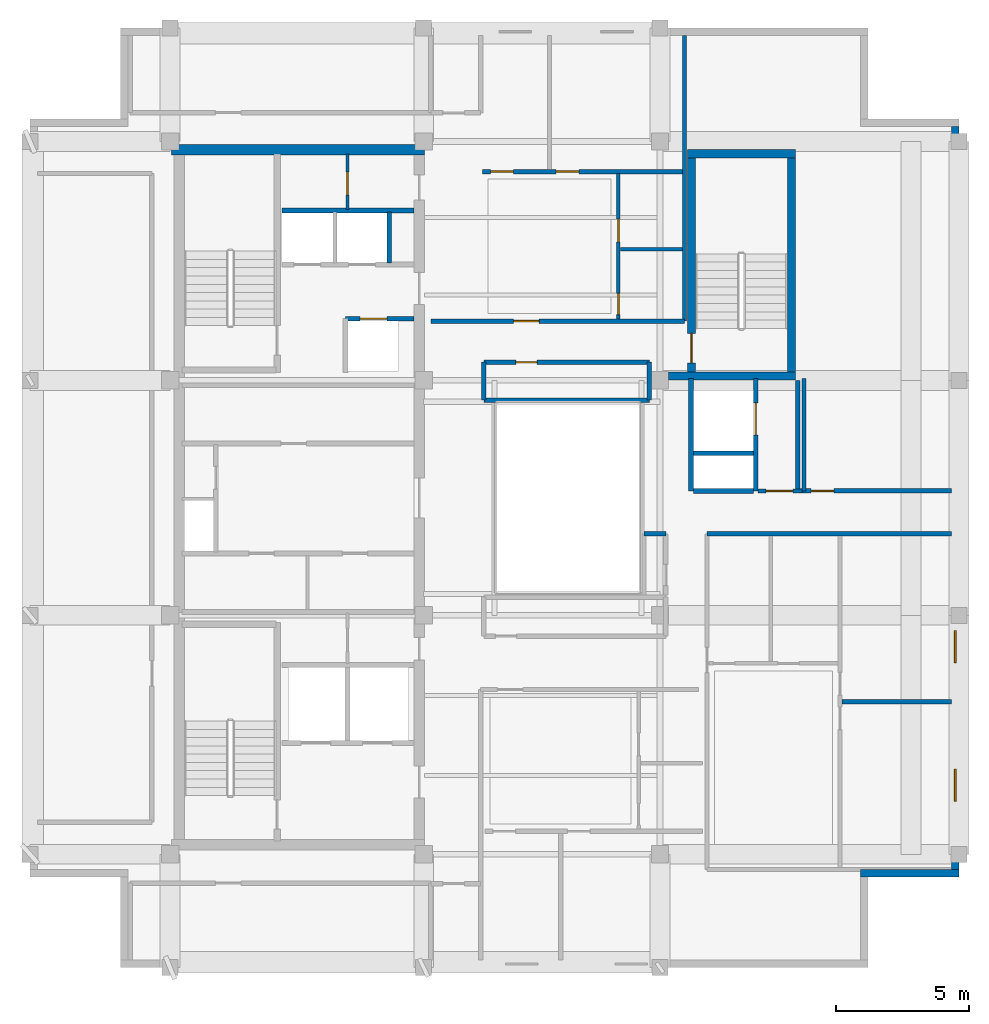
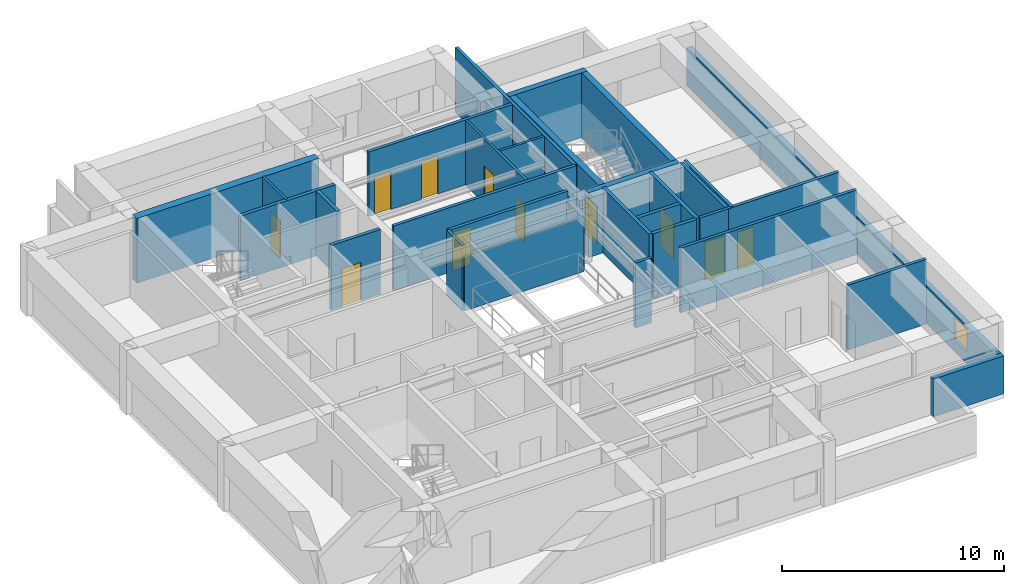
# One storey, part 4 of 6: 31 walls, 12 doors, 2 windows, 14 openings.
"""IFC4 building model written with IfcOpenShell, lengths in metres."""

from ifc_helpers import new_model, si_unit, direction, frame, frame_2d, origin, place, context, subcontext, project, spatial, rectangle, extrude, material, layer, layer_set, type_object, element, fill, save


model = new_model("IFC4")

# Units and contexts
model_context = context("Model", 3, precision=1e-05, world=origin(), true_north=direction((0.0, 1.0)))
body_context = subcontext(model_context, "Body", "Model", "MODEL_VIEW")
ifc_project = project(units=[si_unit("LENGTHUNIT", "METRE"), si_unit("AREAUNIT", "SQUARE_METRE"), si_unit("VOLUMEUNIT", "CUBIC_METRE"), si_unit("PLANEANGLEUNIT", "RADIAN"), si_unit("MASSUNIT", "GRAM", prefix="KILO")], contexts=[model_context])

# Site, building, storey
site_placement = place(None, origin())
site = spatial("IfcSite", under=ifc_project, at=site_placement, CompositionType="ELEMENT")
building_placement = place(site_placement, origin())
building = spatial("IfcBuilding", under=site, at=building_placement, Name="Kundavana Baori Tower", CompositionType="ELEMENT")
storey_placement = place(building_placement, frame((0.0, 0.0, 331.5)))
storey = spatial("IfcBuildingStorey", under=building, at=storey_placement, Name="L82", CompositionType="ELEMENT", Elevation=331.5)

# Walls
ifc_material_1 = material(Name="Concrete C50/60", Category="concrete")
ifc_layer_1 = layer(ifc_material_1, 0.39990234375, Name="WL-CORE-400")
ifc_layer_set_1 = layer_set([ifc_layer_1], Name="Concrete C50/60")
wall_type_1 = type_object("IfcWallType", Name="WL-CORE-400", PredefinedType="SHEAR", material=ifc_layer_set_1)
wall_1_placement = place(storey_placement, frame((15.5, 41.639892578125, 0.0), z_axis=(0.0, 0.0, 1.0), x_axis=(1.0, 0.0, 0.0)))
element("IfcWall", 1, at=wall_1_placement, inside=storey, type_object=wall_type_1, Name="L82 Offset Core North Shear Wall", PredefinedType="SHEAR", context=body_context, shape_type="SweptSolid", body=[
    extrude(rectangle(XDim=9.47998046875, YDim=0.39990234375, at=frame_2d((4.739990234375, 0.0))), origin(), (0.0, 0.0, 1.0), 3.56005859375),
])
ifc_material_2 = material(Name="Red-Buff Dholpur Sandstone Cladding on Concrete C40/50", Category="masonry")
ifc_layer_2 = layer(ifc_material_2, 0.280029296875, Name="WL-EXT-SAND-280")
ifc_layer_set_2 = layer_set([ifc_layer_2], Name="Red-Buff Dholpur Sandstone Cladding on Concrete C40/50")
wall_type_2 = type_object("IfcWallType", Name="WL-EXT-SAND-280", PredefinedType="STANDARD", material=ifc_layer_set_2)
wall_2_placement = place(storey_placement, frame((41.320068359375, 14.5400390625, 0.0), z_axis=(0.0, 0.0, 1.0), x_axis=(1.0, 0.0, 0.0)))
element("IfcWall", 2, at=wall_2_placement, inside=storey, type_object=wall_type_2, Name="L82 Exterior Insulated Facade Wall 03", PredefinedType="STANDARD", context=body_context, shape_type="SweptSolid", body=[
    extrude(rectangle(XDim=3.679931640625, YDim=0.280029296875, at=frame_2d((1.83984375, 0.0))), origin(), (0.0, 0.0, 1.0), 2.080078125),
])

# Wall, openings, windows
wall_3_placement = place(storey_placement, frame((44.860107421875, 14.679931640625, 0.0), z_axis=(0.0, 0.0, 1.0), x_axis=(0.0, 1.0, 0.0)))
wall_3 = element("IfcWall", 3, at=wall_3_placement, inside=storey, type_object=wall_type_2, Name="L82 Exterior Insulated Facade Wall 04", PredefinedType="STANDARD", context=body_context, shape_type="SweptSolid", body=[
    extrude(rectangle(XDim=27.840087890625, YDim=0.280029296875, at=frame_2d((13.919921875, 0.0))), origin(), (0.0, 0.0, 1.0), 2.080078125),
])
opening_1_placement = place(wall_3_placement, frame((2.56201171875, 0.0, 0.64990234375)))
opening_1 = element("IfcOpeningElement", 4, at=opening_1_placement, cuts=wall_3, Name="Opening W-12", PredefinedType="OPENING", context=body_context, shape_type="SweptSolid", body=[
    extrude(rectangle(XDim=1.199951171875, YDim=1.25, at=frame_2d((0.60009765625, 0.625))), frame((0.0, 0.14990234375, 0.0), z_axis=(0.0, -1.0, 0.0), x_axis=(1.0, 0.0, 0.0)), (0.0, 0.0, 1.0), 0.300048828125),
])
opening_2_placement = place(wall_3_placement, frame((7.74609375, 0.0, 0.64990234375)))
opening_2 = element("IfcOpeningElement", 5, at=opening_2_placement, cuts=wall_3, Name="Opening W-12", PredefinedType="OPENING", context=body_context, shape_type="SweptSolid", body=[
    extrude(rectangle(XDim=1.199951171875, YDim=1.25, at=frame_2d((0.60009765625, 0.625))), frame((0.0, 0.14990234375, 0.0), z_axis=(0.0, -1.0, 0.0), x_axis=(1.0, 0.0, 0.0)), (0.0, 0.0, 1.0), 0.300048828125),
])
ifc_material_3 = material(Name="Double-Glazed Solar-Control Low-E Insulated Glass", Category="glass")
window_type = type_object("IfcWindowType", Name="WIN-TRN-1200x1250", PartitioningType="SINGLE_PANEL", PredefinedType="WINDOW", material=ifc_material_3)
window_1_placement = place(opening_1_placement, origin())
window_1 = element("IfcWindow", 6, at=window_1_placement, inside=storey, type_object=window_type, Name="L82 Dwelling Outlook Window DW-5", OverallHeight=1.25, OverallWidth=1.199951171875, PartitioningType="SINGLE_PANEL", PredefinedType="WINDOW", context=body_context, shape_type="SweptSolid", body=[
    extrude(rectangle(XDim=1.199951171875, YDim=1.25, at=frame_2d((0.60009765625, 0.625))), frame((0.0, 0.030029296875, 0.0), z_axis=(0.0, -1.0, 0.0), x_axis=(1.0, 0.0, 0.0)), (0.0, 0.0, 1.0), 0.06005859375),
])
fill(opening_1, window_1)
window_2_placement = place(opening_2_placement, origin())
window_2 = element("IfcWindow", 7, at=window_2_placement, inside=storey, type_object=window_type, Name="L82 Dwelling Outlook Window DW-6", OverallHeight=1.25, OverallWidth=1.199951171875, PartitioningType="SINGLE_PANEL", PredefinedType="WINDOW", context=body_context, shape_type="SweptSolid", body=[
    extrude(rectangle(XDim=1.199951171875, YDim=1.25, at=frame_2d((0.60009765625, 0.625))), frame((0.0, 0.030029296875, 0.0), z_axis=(0.0, -1.0, 0.0), x_axis=(1.0, 0.0, 0.0)), (0.0, 0.0, 1.0), 0.06005859375),
])
fill(opening_2, window_2)

# Wall, opening, door
ifc_material_4 = material(Name="Acoustic Gypsum Plasterboard on Galvanised Steel Studs", Category="steel")
ifc_layer_3 = layer(ifc_material_4, 0.1201171875, Name="WL-PART-120")
ifc_layer_set_3 = layer_set([ifc_layer_3], Name="Acoustic Gypsum Plasterboard on Galvanised Steel Studs")
wall_type_3 = type_object("IfcWallType", Name="WL-PART-120", PredefinedType="PARTITIONING", material=ifc_layer_set_3)
wall_4_placement = place(storey_placement, frame((22.10009765625, 39.39990234375, 0.0), z_axis=(0.0, 0.0, 1.0), x_axis=(0.0, 1.0, 0.0)))
wall_4 = element("IfcWall", 8, at=wall_4_placement, inside=storey, type_object=wall_type_3, Name="WL-L82-CSRV-D1", PredefinedType="PARTITIONING", context=body_context, shape_type="SweptSolid", body=[
    extrude(rectangle(XDim=2.080078125, YDim=0.1201171875, at=frame_2d((1.0400390625, 0.0))), origin(), (0.0, 0.0, 1.0), 3.56005859375),
])
opening_3_placement = place(wall_4_placement, frame((0.550048828125, 0.0, 0.0)))
opening_3 = element("IfcOpeningElement", 9, at=opening_3_placement, cuts=wall_4, Name="Opening FD-085", PredefinedType="OPENING", context=body_context, shape_type="SweptSolid", body=[
    extrude(rectangle(XDim=0.85009765625, YDim=2.06005859375, at=frame_2d((0.425048828125, 1.030029296875))), frame((0.0, 0.070068359375, 0.0), z_axis=(0.0, -1.0, 0.0), x_axis=(1.0, 0.0, 0.0)), (0.0, 0.0, 1.0), 0.14013671875),
])
ifc_material_5 = material(Name="Galvanised Steel Fire-Rated Door Leaf", Category="steel")
door_type_1 = type_object("IfcDoorType", Name="DR-FD60-850", OperationType="NOTDEFINED", PredefinedType="DOOR", material=ifc_material_5)
door_1_placement = place(opening_3_placement, origin())
door_1 = element("IfcDoor", 10, at=door_1_placement, inside=storey, type_object=door_type_1, Name="DR-L82-CSRV1", OperationType="SINGLE_SWING_LEFT", OverallHeight=2.06005859375, OverallWidth=0.85009765625, PredefinedType="DOOR", context=body_context, shape_type="SweptSolid", body=[
    extrude(rectangle(XDim=0.85009765625, YDim=2.06005859375, at=frame_2d((0.425048828125, 1.030029296875))), frame((0.0, 0.02490234375, 0.0), z_axis=(0.0, -1.0, 0.0), x_axis=(1.0, 0.0, 0.0)), (0.0, 0.0, 1.0), 0.050048828125),
])
fill(opening_3, door_1)

# Wall
ifc_material_6 = material(Name="Fire-Rated Gypsum Drywall on Galvanised Steel Studs", Category="steel")
ifc_layer_4 = layer(ifc_material_6, 0.14990234375, Name="WL-PART-150")
ifc_layer_set_4 = layer_set([ifc_layer_4], Name="Fire-Rated Gypsum Drywall on Galvanised Steel Studs")
wall_type_4 = type_object("IfcWallType", Name="WL-PART-150", PredefinedType="PARTITIONING", material=ifc_layer_set_4)
wall_5_placement = place(storey_placement, frame((39.199951171875, 28.860107421875, 0.0), z_axis=(0.0, 0.0, 1.0), x_axis=(0.0, 1.0, 0.0)))
element("IfcWall", 11, at=wall_5_placement, inside=storey, type_object=wall_type_4, Name="WL-L82-SVLOB-E", PredefinedType="PARTITIONING", context=body_context, shape_type="SweptSolid", body=[
    extrude(rectangle(XDim=4.219970703125, YDim=0.14990234375, at=frame_2d((2.10986328125, 0.0))), origin(), (0.0, 0.0, 1.0), 3.56005859375),
])

# Wall, opening, door
wall_6_placement = place(storey_placement, frame((37.47998046875, 28.860107421875, 0.0), z_axis=(0.0, 0.0, 1.0), x_axis=(1.0, 0.0, 0.0)))
wall_6 = element("IfcWall", 12, at=wall_6_placement, inside=storey, type_object=wall_type_4, Name="WL-L82-SVLOB-S", PredefinedType="PARTITIONING", context=body_context, shape_type="SweptSolid", body=[
    extrude(rectangle(XDim=1.64013671875, YDim=0.14990234375, at=frame_2d((0.820068359375, 0.0))), origin(), (0.0, 0.0, 1.0), 3.56005859375),
])
opening_4_placement = place(wall_6_placement, frame((0.300048828125, 0.0, 0.0)))
opening_4 = element("IfcOpeningElement", 13, at=opening_4_placement, cuts=wall_6, Name="Opening FD-100", PredefinedType="OPENING", context=body_context, shape_type="SweptSolid", body=[
    extrude(rectangle(XDim=1.0, YDim=2.10009765625, at=frame_2d((0.5, 1.050048828125))), frame((0.0, 0.0849609375, 0.0), z_axis=(0.0, -1.0, 0.0), x_axis=(1.0, 0.0, 0.0)), (0.0, 0.0, 1.0), 0.169921875),
])
ifc_material_7 = material(Name="Engineered Teak Fire-Rated Timber Door Leaf", Category="wood")
door_type_2 = type_object("IfcDoorType", Name="DR-FD60-1000", OperationType="NOTDEFINED", PredefinedType="DOOR", material=ifc_material_7)
door_2_placement = place(opening_4_placement, origin())
door_2 = element("IfcDoor", 14, at=door_2_placement, inside=storey, type_object=door_type_2, Name="DR-L82-SVLOB-OUT", OperationType="SINGLE_SWING_LEFT", OverallHeight=2.10009765625, OverallWidth=1.0, PredefinedType="DOOR", context=body_context, shape_type="SweptSolid", body=[
    extrude(rectangle(XDim=1.0, YDim=2.10009765625, at=frame_2d((0.5, 1.050048828125))), frame((0.0, 0.02490234375, 0.0), z_axis=(0.0, -1.0, 0.0), x_axis=(1.0, 0.0, 0.0)), (0.0, 0.0, 1.0), 0.050048828125),
])
fill(opening_4, door_2)

ifc_material_8 = material(Name="Fire-Rated Gypsum Drywall on Galvanised Steel Studs", Category="steel")
ifc_layer_5 = layer(ifc_material_8, 0.1650390625, Name="WL-PART-165")
ifc_layer_set_5 = layer_set([ifc_layer_5], Name="Fire-Rated Gypsum Drywall on Galvanised Steel Studs")
wall_type_5 = type_object("IfcWallType", Name="WL-PART-165", PredefinedType="PARTITIONING", material=ifc_layer_set_5)
wall_7_placement = place(storey_placement, frame((25.219970703125, 35.219970703125, 0.0), z_axis=(0.0, 0.0, 1.0), x_axis=(1.0, 0.0, 0.0)))
wall_7 = element("IfcWall", 15, at=wall_7_placement, inside=storey, type_object=wall_type_5, Name="WL-L82-RN", PredefinedType="PARTITIONING", context=body_context, shape_type="SweptSolid", body=[
    extrude(rectangle(XDim=9.5, YDim=0.1650390625, at=frame_2d((4.75, 0.0))), origin(), (0.0, 0.0, 1.0), 3.56005859375),
])
opening_5_placement = place(wall_7_placement, frame((3.10009765625, 0.0, 0.0)))
opening_5 = element("IfcOpeningElement", 16, at=opening_5_placement, cuts=wall_7, Name="Opening FD-095", PredefinedType="OPENING", context=body_context, shape_type="SweptSolid", body=[
    extrude(rectangle(XDim=0.949951171875, YDim=2.10009765625, at=frame_2d((0.47509765625, 1.050048828125))), frame((0.0, 0.092529296875, 0.0), z_axis=(0.0, -1.0, 0.0), x_axis=(1.0, 0.0, 0.0)), (0.0, 0.0, 1.0), 0.18505859375),
])
ifc_material_9 = material(Name="Engineered Teak Fire-Rated Timber Door Leaf", Category="wood")
door_type_3 = type_object("IfcDoorType", Name="DR-FD60-950", OperationType="NOTDEFINED", PredefinedType="DOOR", material=ifc_material_9)
door_3_placement = place(opening_5_placement, origin())
door_3 = element("IfcDoor", 17, at=door_3_placement, inside=storey, type_object=door_type_3, Name="DR-L82-N1-ENT", OperationType="SINGLE_SWING_LEFT", OverallHeight=2.10009765625, OverallWidth=0.949951171875, PredefinedType="DOOR", context=body_context, shape_type="SweptSolid", body=[
    extrude(rectangle(XDim=0.949951171875, YDim=2.10009765625, at=frame_2d((0.47509765625, 1.050048828125))), frame((0.0, 0.02490234375, 0.0), z_axis=(0.0, -1.0, 0.0), x_axis=(1.0, 0.0, 0.0)), (0.0, 0.0, 1.0), 0.050048828125),
])
fill(opening_5, door_3)

# Wall
wall_8_placement = place(storey_placement, frame((34.719970703125, 35.219970703125, 0.0), z_axis=(0.0, 0.0, 1.0), x_axis=(0.0, 1.0, 0.0)))
element("IfcWall", 18, at=wall_8_placement, inside=storey, type_object=wall_type_5, Name="WL-L82-RNEND", PredefinedType="PARTITIONING", context=body_context, shape_type="SweptSolid", body=[
    extrude(rectangle(XDim=10.699951171875, YDim=0.1650390625, at=frame_2d((5.35009765625, 0.0))), origin(), (0.0, 0.0, 1.0), 3.56005859375),
])

# Wall, openings, doors
wall_9_placement = place(storey_placement, frame((27.159912109375, 40.822021484375, 0.0), z_axis=(0.0, 0.0, 1.0), x_axis=(1.0, 0.0, 0.0)))
wall_9 = element("IfcWall", 19, at=wall_9_placement, inside=storey, type_object=wall_type_5, Name="WL-L82-N1-HZ", PredefinedType="PARTITIONING", context=body_context, shape_type="SweptSolid", body=[
    extrude(rectangle(XDim=7.47998046875, YDim=0.1650390625, at=frame_2d((3.739990234375, 0.0))), origin(), (0.0, 0.0, 1.0), 3.56005859375),
])
opening_6_placement = place(wall_9_placement, frame((0.300048828125, 0.0, 0.0)))
opening_6 = element("IfcOpeningElement", 20, at=opening_6_placement, cuts=wall_9, Name="Opening ID-085", PredefinedType="OPENING", context=body_context, shape_type="SweptSolid", body=[
    extrude(rectangle(XDim=0.85009765625, YDim=2.080078125, at=frame_2d((0.425048828125, 1.0400390625))), frame((0.0, 0.092529296875, 0.0), z_axis=(0.0, -1.0, 0.0), x_axis=(1.0, 0.0, 0.0)), (0.0, 0.0, 1.0), 0.18505859375),
])
opening_7_placement = place(wall_9_placement, frame((2.75, 0.0, 0.0)))
opening_7 = element("IfcOpeningElement", 21, at=opening_7_placement, cuts=wall_9, Name="Opening ID-085", PredefinedType="OPENING", context=body_context, shape_type="SweptSolid", body=[
    extrude(rectangle(XDim=0.85009765625, YDim=2.080078125, at=frame_2d((0.425048828125, 1.0400390625))), frame((0.0, 0.092529296875, 0.0), z_axis=(0.0, -1.0, 0.0), x_axis=(1.0, 0.0, 0.0)), (0.0, 0.0, 1.0), 0.18505859375),
])
ifc_material_10 = material(Name="Engineered Teak Solid-Core Timber Veneer", Category="wood")
door_type_4 = type_object("IfcDoorType", Name="DR-INT-850", OperationType="NOTDEFINED", PredefinedType="DOOR", material=ifc_material_10)
door_4_placement = place(opening_6_placement, origin())
door_4 = element("IfcDoor", 22, at=door_4_placement, inside=storey, type_object=door_type_4, Name="DR-L82-N1-B1", OperationType="SINGLE_SWING_LEFT", OverallHeight=2.080078125, OverallWidth=0.85009765625, PredefinedType="DOOR", context=body_context, shape_type="SweptSolid", body=[
    extrude(rectangle(XDim=0.85009765625, YDim=2.080078125, at=frame_2d((0.425048828125, 1.0400390625))), frame((0.0, 0.02490234375, 0.0), z_axis=(0.0, -1.0, 0.0), x_axis=(1.0, 0.0, 0.0)), (0.0, 0.0, 1.0), 0.050048828125),
])
fill(opening_6, door_4)
door_5_placement = place(opening_7_placement, origin())
door_5 = element("IfcDoor", 23, at=door_5_placement, inside=storey, type_object=door_type_4, Name="DR-L82-N1-B2", OperationType="SINGLE_SWING_RIGHT", OverallHeight=2.080078125, OverallWidth=0.85009765625, PredefinedType="DOOR", context=body_context, shape_type="SweptSolid", body=[
    extrude(rectangle(XDim=0.85009765625, YDim=2.080078125, at=frame_2d((0.425048828125, 1.0400390625))), frame((0.0, 0.02490234375, 0.0), z_axis=(0.0, -1.0, 0.0), x_axis=(1.0, 0.0, 0.0)), (0.0, 0.0, 1.0), 0.050048828125),
])
fill(opening_7, door_5)

# Walls
wall_10_placement = place(storey_placement, frame((35.56005859375, 27.25, 0.0), z_axis=(0.0, 0.0, 1.0), x_axis=(1.0, 0.0, 0.0)))
element("IfcWall", 24, at=wall_10_placement, inside=storey, type_object=wall_type_5, Name="WL-L82-CSEN", PredefinedType="PARTITIONING", context=body_context, shape_type="SweptSolid", body=[
    extrude(rectangle(XDim=9.159912109375, YDim=0.1650390625, at=frame_2d((4.580078125, 0.0))), origin(), (0.0, 0.0, 1.0), 3.56005859375),
])
wall_11_placement = place(storey_placement, frame((40.623046875, 20.965087890625, 0.0), z_axis=(0.0, 0.0, 1.0), x_axis=(1.0, 0.0, 0.0)))
element("IfcWall", 25, at=wall_11_placement, inside=storey, type_object=wall_type_5, Name="WL-L82-SE1-BDH", PredefinedType="PARTITIONING", context=body_context, shape_type="SweptSolid", body=[
    extrude(rectangle(XDim=4.096923828125, YDim=0.1650390625, at=frame_2d((2.04833984375, 0.0))), origin(), (0.0, 0.0, 1.0), 3.56005859375),
])

# Wall, opening, door
wall_12_placement = place(storey_placement, frame((38.9599609375, 28.860107421875, 0.0), z_axis=(0.0, 0.0, 1.0), x_axis=(1.0, 0.0, 0.0)))
wall_12 = element("IfcWall", 26, at=wall_12_placement, inside=storey, type_object=wall_type_5, Name="WL-L82-CNES", PredefinedType="PARTITIONING", context=body_context, shape_type="SweptSolid", body=[
    extrude(rectangle(XDim=5.760009765625, YDim=0.1650390625, at=frame_2d((2.8798828125, 0.0))), origin(), (0.0, 0.0, 1.0), 3.56005859375),
])
opening_8_placement = place(wall_12_placement, frame((0.5, 0.0, 0.0)))
opening_8 = element("IfcOpeningElement", 27, at=opening_8_placement, cuts=wall_12, Name="Opening WD-085", PredefinedType="OPENING", context=body_context, shape_type="SweptSolid", body=[
    extrude(rectangle(XDim=0.85009765625, YDim=2.050048828125, at=frame_2d((0.425048828125, 1.02490234375))), frame((0.0, 0.092529296875, 0.0), z_axis=(0.0, -1.0, 0.0), x_axis=(1.0, 0.0, 0.0)), (0.0, 0.0, 1.0), 0.18505859375),
])
ifc_material_11 = material(Name="Engineered Teak Solid-Core Timber Veneer", Category="wood")
door_type_5 = type_object("IfcDoorType", Name="DR-WET-850", OperationType="NOTDEFINED", PredefinedType="DOOR", material=ifc_material_11)
door_6_placement = place(opening_8_placement, origin())
door_6 = element("IfcDoor", 28, at=door_6_placement, inside=storey, type_object=door_type_5, Name="DR-L82-RCNE", OperationType="SINGLE_SWING_LEFT", OverallHeight=2.050048828125, OverallWidth=0.85009765625, PredefinedType="DOOR", context=body_context, shape_type="SweptSolid", body=[
    extrude(rectangle(XDim=0.85009765625, YDim=2.050048828125, at=frame_2d((0.425048828125, 1.02490234375))), frame((0.0, 0.02490234375, 0.0), z_axis=(0.0, -1.0, 0.0), x_axis=(1.0, 0.0, 0.0)), (0.0, 0.0, 1.0), 0.050048828125),
])
fill(opening_8, door_6)

# Walls
wall_13_placement = place(storey_placement, frame((38.9599609375, 28.93994140625, 0.0), z_axis=(0.0, 0.0, 1.0), x_axis=(0.0, 1.0, 0.0)))
element("IfcWall", 29, at=wall_13_placement, inside=storey, type_object=wall_type_5, Name="WL-L82-CNEW", PredefinedType="PARTITIONING", context=body_context, shape_type="SweptSolid", body=[
    extrude(rectangle(XDim=4.06005859375, YDim=0.1650390625, at=frame_2d((2.030029296875, 0.0))), origin(), (0.0, 0.0, 1.0), 3.56005859375),
])
wall_14_placement = place(storey_placement, frame((33.199951171875, 27.25, 0.0), z_axis=(0.0, 0.0, 1.0), x_axis=(1.0, 0.0, 0.0)))
element("IfcWall", 30, at=wall_14_placement, inside=storey, type_object=wall_type_5, Name="WL-L82-CEAN", PredefinedType="PARTITIONING", context=body_context, shape_type="SweptSolid", body=[
    extrude(rectangle(XDim=0.820068359375, YDim=0.1650390625, at=frame_2d((0.41015625, 0.0))), origin(), (0.0, 0.0, 1.0), 3.56005859375),
])

# Wall, opening, door
wall_15_placement = place(storey_placement, frame((27.199951171875, 33.679931640625, 0.0), z_axis=(0.0, 0.0, 1.0), x_axis=(1.0, 0.0, 0.0)))
wall_15 = element("IfcWall", 31, at=wall_15_placement, inside=storey, type_object=wall_type_5, Name="WL-L82-CNAN", PredefinedType="PARTITIONING", context=body_context, shape_type="SweptSolid", body=[
    extrude(rectangle(XDim=6.199951171875, YDim=0.1650390625, at=frame_2d((3.10009765625, 0.0))), origin(), (0.0, 0.0, 1.0), 3.56005859375),
])
opening_9_placement = place(wall_15_placement, frame((1.199951171875, 0.0, 0.0)))
opening_9 = element("IfcOpeningElement", 32, at=opening_9_placement, cuts=wall_15, Name="Opening WD-080", PredefinedType="OPENING", context=body_context, shape_type="SweptSolid", body=[
    extrude(rectangle(XDim=0.800048828125, YDim=2.050048828125, at=frame_2d((0.39990234375, 1.02490234375))), frame((0.0, 0.092529296875, 0.0), z_axis=(0.0, -1.0, 0.0), x_axis=(1.0, 0.0, 0.0)), (0.0, 0.0, 1.0), 0.18505859375),
])
ifc_material_12 = material(Name="Engineered Teak Solid-Core Timber Veneer", Category="wood")
door_type_6 = type_object("IfcDoorType", Name="DR-WET-800", OperationType="NOTDEFINED", PredefinedType="DOOR", material=ifc_material_12)
door_7_placement = place(opening_9_placement, frame((0.800048828125, 0.0, 0.0), z_axis=(0.0, 0.0, 1.0), x_axis=(-1.0, 0.0, 0.0)))
door_7 = element("IfcDoor", 33, at=door_7_placement, inside=storey, type_object=door_type_6, Name="DR-L82-CSNA", OperationType="SINGLE_SWING_LEFT", OverallHeight=2.050048828125, OverallWidth=0.800048828125, PredefinedType="DOOR", context=body_context, shape_type="SweptSolid", body=[
    extrude(rectangle(XDim=0.800048828125, YDim=2.050048828125, at=frame_2d((0.39990234375, 1.02490234375))), frame((0.0, 0.02490234375, 0.0), z_axis=(0.0, -1.0, 0.0), x_axis=(1.0, 0.0, 0.0)), (0.0, 0.0, 1.0), 0.050048828125),
])
fill(opening_9, door_7)

# Walls
wall_16_placement = place(storey_placement, frame((27.199951171875, 32.260009765625, 0.0), z_axis=(0.0, 0.0, 1.0), x_axis=(1.0, 0.0, 0.0)))
element("IfcWall", 34, at=wall_16_placement, inside=storey, type_object=wall_type_5, Name="WL-L82-CNAS", PredefinedType="PARTITIONING", context=body_context, shape_type="SweptSolid", body=[
    extrude(rectangle(XDim=6.199951171875, YDim=0.1650390625, at=frame_2d((3.10009765625, 0.0))), origin(), (0.0, 0.0, 1.0), 3.010009765625),
])
wall_17_placement = place(storey_placement, frame((27.199951171875, 32.260009765625, 0.0), z_axis=(0.0, 0.0, 1.0), x_axis=(0.0, 1.0, 0.0)))
element("IfcWall", 35, at=wall_17_placement, inside=storey, type_object=wall_type_5, Name="WL-L82-CNAW", PredefinedType="PARTITIONING", context=body_context, shape_type="SweptSolid", body=[
    extrude(rectangle(XDim=1.419921875, YDim=0.1650390625, at=frame_2d((0.7099609375, 0.0))), origin(), (0.0, 0.0, 1.0), 3.56005859375),
])
wall_18_placement = place(storey_placement, frame((33.39990234375, 32.260009765625, 0.0), z_axis=(0.0, 0.0, 1.0), x_axis=(0.0, 1.0, 0.0)))
element("IfcWall", 36, at=wall_18_placement, inside=storey, type_object=wall_type_5, Name="WL-L82-CNAE", PredefinedType="PARTITIONING", context=body_context, shape_type="SweptSolid", body=[
    extrude(rectangle(XDim=1.419921875, YDim=0.1650390625, at=frame_2d((0.7099609375, 0.0))), origin(), (0.0, 0.0, 1.0), 3.010009765625),
])

# Wall, opening, door
ifc_material_13 = material(Name="Autoclaved Aerated Concrete Blockwork Masonry", Category="masonry")
ifc_layer_6 = layer(ifc_material_13, 0.179931640625, Name="WL-SHAFT-180")
ifc_layer_set_6 = layer_set([ifc_layer_6], Name="Autoclaved Aerated Concrete Blockwork Masonry")
wall_type_6 = type_object("IfcWallType", Name="WL-SHAFT-180", PredefinedType="SOLIDWALL", material=ifc_layer_set_6)
wall_19_placement = place(storey_placement, frame((22.02001953125, 35.31005859375, 0.0), z_axis=(0.0, 0.0, 1.0), x_axis=(1.0, 0.0, 0.0)))
wall_19 = element("IfcWall", 37, at=wall_19_placement, inside=storey, type_object=wall_type_6, Name="WL-L82-LP11-N", PredefinedType="SOLIDWALL", context=body_context, shape_type="SweptSolid", body=[
    extrude(rectangle(XDim=2.56005859375, YDim=0.179931640625, at=frame_2d((1.280029296875, 0.0))), origin(), (0.0, 0.0, 1.0), 3.56005859375),
])
opening_10_placement = place(wall_19_placement, frame((0.550048828125, 0.0, 0.0)))
opening_10 = element("IfcOpeningElement", 38, at=opening_10_placement, cuts=wall_19, Name="Opening LD-100", PredefinedType="OPENING", context=body_context, shape_type="SweptSolid", body=[
    extrude(rectangle(XDim=1.0, YDim=2.10009765625, at=frame_2d((0.5, 1.050048828125))), frame((0.0, 0.10009765625, 0.0), z_axis=(0.0, -1.0, 0.0), x_axis=(1.0, 0.0, 0.0)), (0.0, 0.0, 1.0), 0.199951171875),
])
ifc_material_14 = material(Name="Galvanised Steel Fire-Rated Door Leaf", Category="steel")
door_type_7 = type_object("IfcDoorType", Name="DR-SLIDE-LD1000", OperationType="NOTDEFINED", PredefinedType="DOOR", material=ifc_material_14)
door_8_placement = place(opening_10_placement, origin())
door_8 = element("IfcDoor", 39, at=door_8_placement, inside=storey, type_object=door_type_7, Name="DR-L82-LD-LP11", OperationType="DOUBLE_DOOR_SLIDING", OverallHeight=2.10009765625, OverallWidth=1.0, PredefinedType="DOOR", context=body_context, shape_type="SweptSolid", body=[
    extrude(rectangle(XDim=1.0, YDim=2.10009765625, at=frame_2d((0.5, 1.050048828125))), frame((0.0, 0.02490234375, 0.0), z_axis=(0.0, -1.0, 0.0), x_axis=(1.0, 0.0, 0.0)), (0.0, 0.0, 1.0), 0.050048828125),
])
fill(opening_10, door_8)

# Walls
wall_20_placement = place(storey_placement, frame((19.639892578125, 39.360107421875, 0.0), z_axis=(0.0, 0.0, 1.0), x_axis=(1.0, 0.0, 0.0)))
element("IfcWall", 40, at=wall_20_placement, inside=storey, type_object=wall_type_6, Name="WL-L82-HRLOB-TOP", PredefinedType="SOLIDWALL", context=body_context, shape_type="SweptSolid", body=[
    extrude(rectangle(XDim=4.940185546875, YDim=0.179931640625, at=frame_2d((2.47021484375, 0.0))), origin(), (0.0, 0.0, 1.0), 3.56005859375),
])
wall_21_placement = place(storey_placement, frame((23.659912109375, 37.39990234375, 0.0), z_axis=(0.0, 0.0, 1.0), x_axis=(0.0, 1.0, 0.0)))
element("IfcWall", 41, at=wall_21_placement, inside=storey, type_object=wall_type_6, Name="WL-L82-HR-DIV2", PredefinedType="SOLIDWALL", context=body_context, shape_type="SweptSolid", body=[
    extrude(rectangle(XDim=1.900146484375, YDim=0.179931640625, at=frame_2d((0.9501953125, 0.0))), origin(), (0.0, 0.0, 1.0), 3.56005859375),
])
wall_22_placement = place(storey_placement, frame((34.9599609375, 28.860107421875, 0.0), z_axis=(0.0, 0.0, 1.0), x_axis=(0.0, 1.0, 0.0)))
element("IfcWall", 42, at=wall_22_placement, inside=storey, type_object=wall_type_6, Name="WL-L82-SVL-W", PredefinedType="SOLIDWALL", context=body_context, shape_type="SweptSolid", body=[
    extrude(rectangle(XDim=4.219970703125, YDim=0.179931640625, at=frame_2d((2.10986328125, 0.0))), origin(), (0.0, 0.0, 1.0), 3.56005859375),
])

# Wall, opening, door
wall_23_placement = place(storey_placement, frame((37.389892578125, 28.860107421875, 0.0), z_axis=(0.0, 0.0, 1.0), x_axis=(0.0, 1.0, 0.0)))
wall_23 = element("IfcWall", 43, at=wall_23_placement, inside=storey, type_object=wall_type_6, Name="WL-L82-SVL-E", PredefinedType="SOLIDWALL", context=body_context, shape_type="SweptSolid", body=[
    extrude(rectangle(XDim=4.219970703125, YDim=0.179931640625, at=frame_2d((2.10986328125, 0.0))), origin(), (0.0, 0.0, 1.0), 3.56005859375),
])
opening_11_placement = place(wall_23_placement, frame((2.10009765625, 0.0, 0.0)))
opening_11 = element("IfcOpeningElement", 44, at=opening_11_placement, cuts=wall_23, Name="Opening LD-120", PredefinedType="OPENING", context=body_context, shape_type="SweptSolid", body=[
    extrude(rectangle(XDim=1.199951171875, YDim=2.1201171875, at=frame_2d((0.60009765625, 1.06005859375))), frame((0.0, 0.10009765625, 0.0), z_axis=(0.0, -1.0, 0.0), x_axis=(1.0, 0.0, 0.0)), (0.0, 0.0, 1.0), 0.199951171875),
])
ifc_material_15 = material(Name="Galvanised Steel Fire-Rated Door Leaf", Category="steel")
door_type_8 = type_object("IfcDoorType", Name="DR-SLIDE-LD1200", OperationType="NOTDEFINED", PredefinedType="DOOR", material=ifc_material_15)
door_9_placement = place(opening_11_placement, frame((1.199951171875, 0.0, 0.0), z_axis=(0.0, 0.0, 1.0), x_axis=(-1.0, 0.0, 0.0)))
door_9 = element("IfcDoor", 45, at=door_9_placement, inside=storey, type_object=door_type_8, Name="DR-L82-LD-SVL1", OperationType="DOUBLE_DOOR_SLIDING", OverallHeight=2.1201171875, OverallWidth=1.199951171875, PredefinedType="DOOR", context=body_context, shape_type="SweptSolid", body=[
    extrude(rectangle(XDim=1.199951171875, YDim=2.1201171875, at=frame_2d((0.60009765625, 1.06005859375))), frame((0.0, 0.02490234375, 0.0), z_axis=(0.0, -1.0, 0.0), x_axis=(1.0, 0.0, 0.0)), (0.0, 0.0, 1.0), 0.050048828125),
])
fill(opening_11, door_9)

# Walls
for number, where, z_axis, x_axis, name in (
    (46, (35.050048828125, 28.860107421875, 0.0), (0.0, 0.0, 1.0), (1.0, 0.0, 0.0), "WL-L82-SVL-S"),
    (47, (35.050048828125, 30.27001953125, 0.0), (0.0, 0.0, 1.0), (1.0, 0.0, 0.0), "WL-L82-SVL-M"),
):
    element("IfcWall", number, at=place(storey_placement, frame(where, z_axis=z_axis, x_axis=x_axis)), inside=storey, type_object=wall_type_6, Name=name, PredefinedType="SOLIDWALL", context=body_context, shape_type="SweptSolid", body=[
        extrude(rectangle(XDim=2.25, YDim=0.179931640625, at=frame_2d((1.125, 0.0))), origin(), (0.0, 0.0, 1.0), 3.56005859375),
    ])
ifc_material_16 = material(Name="Concrete C50/60", Category="concrete")
ifc_layer_7 = layer(ifc_material_16, 0.300048828125, Name="WL-ST3-300")
ifc_layer_set_7 = layer_set([ifc_layer_7], Name="Concrete C50/60")
wall_type_7 = type_object("IfcWallType", Name="WL-ST3-300", PredefinedType="SHEAR", material=ifc_layer_set_7)
wall_24_placement = place(storey_placement, frame((34.125, 33.159912109375, 0.0), z_axis=(0.0, 0.0, 1.0), x_axis=(1.0, 0.0, 0.0)))
element("IfcWall", 48, at=wall_24_placement, inside=storey, type_object=wall_type_7, Name="L82 Stair ST3 South Shear Wall", PredefinedType="SHEAR", context=body_context, shape_type="SweptSolid", body=[
    extrude(rectangle(XDim=4.7451171875, YDim=0.300048828125, at=frame_2d((2.37255859375, 0.0))), origin(), (0.0, 0.0, 1.0), 3.56005859375),
])
wall_25_placement = place(storey_placement, frame((34.830078125, 41.489990234375, 0.0), z_axis=(0.0, 0.0, 1.0), x_axis=(1.0, 0.0, 0.0)))
element("IfcWall", 49, at=wall_25_placement, inside=storey, type_object=wall_type_7, Name="L82 Stair ST3 North Shear Wall", PredefinedType="SHEAR", context=body_context, shape_type="SweptSolid", body=[
    extrude(rectangle(XDim=4.0400390625, YDim=0.300048828125, at=frame_2d((2.02001953125, 0.0))), origin(), (0.0, 0.0, 1.0), 3.56005859375),
])

# Wall, opening, door
wall_26_placement = place(storey_placement, frame((34.97998046875, 33.31005859375, 0.0), z_axis=(0.0, 0.0, 1.0), x_axis=(0.0, 1.0, 0.0)))
wall_26 = element("IfcWall", 50, at=wall_26_placement, inside=storey, type_object=wall_type_7, Name="L82 Stair ST3 West Shear Wall", PredefinedType="SHEAR", context=body_context, shape_type="SweptSolid", body=[
    extrude(rectangle(XDim=8.030029296875, YDim=0.300048828125, at=frame_2d((4.01513671875, 0.0))), origin(), (0.0, 0.0, 1.0), 3.56005859375),
])
opening_12_placement = place(wall_26_placement, frame((0.35009765625, 0.0, 0.0)))
opening_12 = element("IfcOpeningElement", 51, at=opening_12_placement, cuts=wall_26, Name="Opening FD-110", PredefinedType="OPENING", context=body_context, shape_type="SweptSolid", body=[
    extrude(rectangle(XDim=1.10009765625, YDim=2.10009765625, at=frame_2d((0.550048828125, 1.050048828125))), frame((0.0, 0.16015625, 0.0), z_axis=(0.0, -1.0, 0.0), x_axis=(1.0, 0.0, 0.0)), (0.0, 0.0, 1.0), 0.320068359375),
])
ifc_material_17 = material(Name="Galvanised Steel Fire-Rated Door Leaf", Category="steel")
door_type_9 = type_object("IfcDoorType", Name="DR-FD120-1100", OperationType="NOTDEFINED", PredefinedType="DOOR", material=ifc_material_17)
door_10_placement = place(opening_12_placement, origin())
door_10 = element("IfcDoor", 52, at=door_10_placement, inside=storey, type_object=door_type_9, Name="DR-L82-ST3-W", OperationType="SINGLE_SWING_LEFT", OverallHeight=2.10009765625, OverallWidth=1.10009765625, PredefinedType="DOOR", context=body_context, shape_type="SweptSolid", body=[
    extrude(rectangle(XDim=1.10009765625, YDim=2.10009765625, at=frame_2d((0.550048828125, 1.050048828125))), frame((0.0, 0.02490234375, 0.0), z_axis=(0.0, -1.0, 0.0), x_axis=(1.0, 0.0, 0.0)), (0.0, 0.0, 1.0), 0.050048828125),
])
fill(opening_12, door_10)

# Wall
wall_27_placement = place(storey_placement, frame((38.719970703125, 33.31005859375, 0.0), z_axis=(0.0, 0.0, 1.0), x_axis=(0.0, 1.0, 0.0)))
element("IfcWall", 53, at=wall_27_placement, inside=storey, type_object=wall_type_7, Name="L82 Stair ST3 East Shear Wall", PredefinedType="SHEAR", context=body_context, shape_type="SweptSolid", body=[
    extrude(rectangle(XDim=8.030029296875, YDim=0.300048828125, at=frame_2d((4.01513671875, 0.0))), origin(), (0.0, 0.0, 1.0), 3.56005859375),
])

# Wall, openings, doors
ifc_material_18 = material(Name="Autoclaved Aerated Concrete Blockwork Masonry", Category="masonry")
ifc_layer_8 = layer(ifc_material_18, 0.125, Name="WL-WET-120")
ifc_layer_set_8 = layer_set([ifc_layer_8], Name="Autoclaved Aerated Concrete Blockwork Masonry")
wall_type_8 = type_object("IfcWallType", Name="WL-WET-120", PredefinedType="PLUMBINGWALL", material=ifc_layer_set_8)
wall_28_placement = place(storey_placement, frame((32.239990234375, 35.300048828125, 0.0), z_axis=(0.0, 0.0, 1.0), x_axis=(0.0, 1.0, 0.0)))
wall_28 = element("IfcWall", 54, at=wall_28_placement, inside=storey, type_object=wall_type_8, Name="WL-L82-N1-KT", PredefinedType="PLUMBINGWALL", context=body_context, shape_type="SweptSolid", body=[
    extrude(rectangle(XDim=5.44189453125, YDim=0.125, at=frame_2d((2.720947265625, 0.0))), origin(), (0.0, 0.0, 1.0), 3.56005859375),
])
opening_13_placement = place(wall_28_placement, frame((0.159912109375, 0.0, 0.0)))
opening_13 = element("IfcOpeningElement", 55, at=opening_13_placement, cuts=wall_28, Name="Opening WD-080", PredefinedType="OPENING", context=body_context, shape_type="SweptSolid", body=[
    extrude(rectangle(XDim=0.800048828125, YDim=2.050048828125, at=frame_2d((0.39990234375, 1.02490234375))), frame((0.0, 0.072509765625, 0.0), z_axis=(0.0, -1.0, 0.0), x_axis=(1.0, 0.0, 0.0)), (0.0, 0.0, 1.0), 0.14501953125),
])
opening_14_placement = place(wall_28_placement, frame((2.89208984375, 0.0, 0.0)))
opening_14 = element("IfcOpeningElement", 56, at=opening_14_placement, cuts=wall_28, Name="Opening ID-085", PredefinedType="OPENING", context=body_context, shape_type="SweptSolid", body=[
    extrude(rectangle(XDim=0.85009765625, YDim=2.080078125, at=frame_2d((0.425048828125, 1.0400390625))), frame((0.0, 0.072509765625, 0.0), z_axis=(0.0, -1.0, 0.0), x_axis=(1.0, 0.0, 0.0)), (0.0, 0.0, 1.0), 0.14501953125),
])
door_11_placement = place(opening_14_placement, origin())
door_11 = element("IfcDoor", 57, at=door_11_placement, inside=storey, type_object=door_type_4, Name="DR-L82-N1-KT", OperationType="SINGLE_SWING_RIGHT", OverallHeight=2.080078125, OverallWidth=0.85009765625, PredefinedType="DOOR", context=body_context, shape_type="SweptSolid", body=[
    extrude(rectangle(XDim=0.85009765625, YDim=2.080078125, at=frame_2d((0.425048828125, 1.0400390625))), frame((0.0, 0.02490234375, 0.0), z_axis=(0.0, -1.0, 0.0), x_axis=(1.0, 0.0, 0.0)), (0.0, 0.0, 1.0), 0.050048828125),
])
fill(opening_14, door_11)
door_12_placement = place(opening_13_placement, origin())
door_12 = element("IfcDoor", 58, at=door_12_placement, inside=storey, type_object=door_type_6, Name="DR-L82-N1-BT", OperationType="SINGLE_SWING_LEFT", OverallHeight=2.050048828125, OverallWidth=0.800048828125, PredefinedType="DOOR", context=body_context, shape_type="SweptSolid", body=[
    extrude(rectangle(XDim=0.800048828125, YDim=2.050048828125, at=frame_2d((0.39990234375, 1.02490234375))), frame((0.0, 0.02490234375, 0.0), z_axis=(0.0, -1.0, 0.0), x_axis=(1.0, 0.0, 0.0)), (0.0, 0.0, 1.0), 0.050048828125),
])
fill(opening_13, door_12)

# Wall
wall_29_placement = place(storey_placement, frame((32.320068359375, 37.912109375, 0.0), z_axis=(0.0, 0.0, 1.0), x_axis=(1.0, 0.0, 0.0)))
element("IfcWall", 59, at=wall_29_placement, inside=storey, type_object=wall_type_8, Name="WL-L82-N1-BT", PredefinedType="PLUMBINGWALL", context=body_context, shape_type="SweptSolid", body=[
    extrude(rectangle(XDim=2.31982421875, YDim=0.125, at=frame_2d((1.159912109375, 0.0))), origin(), (0.0, 0.0, 1.0), 3.56005859375),
])

save(model, "model.ifc")
